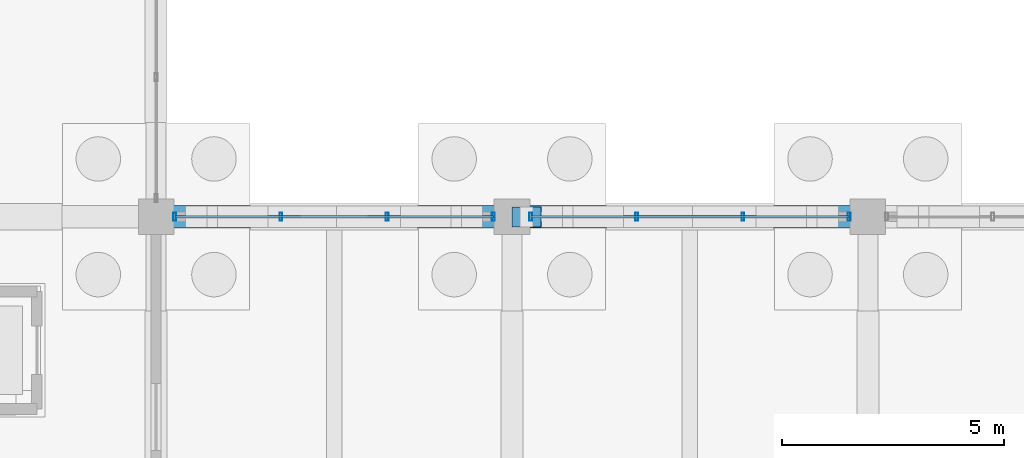
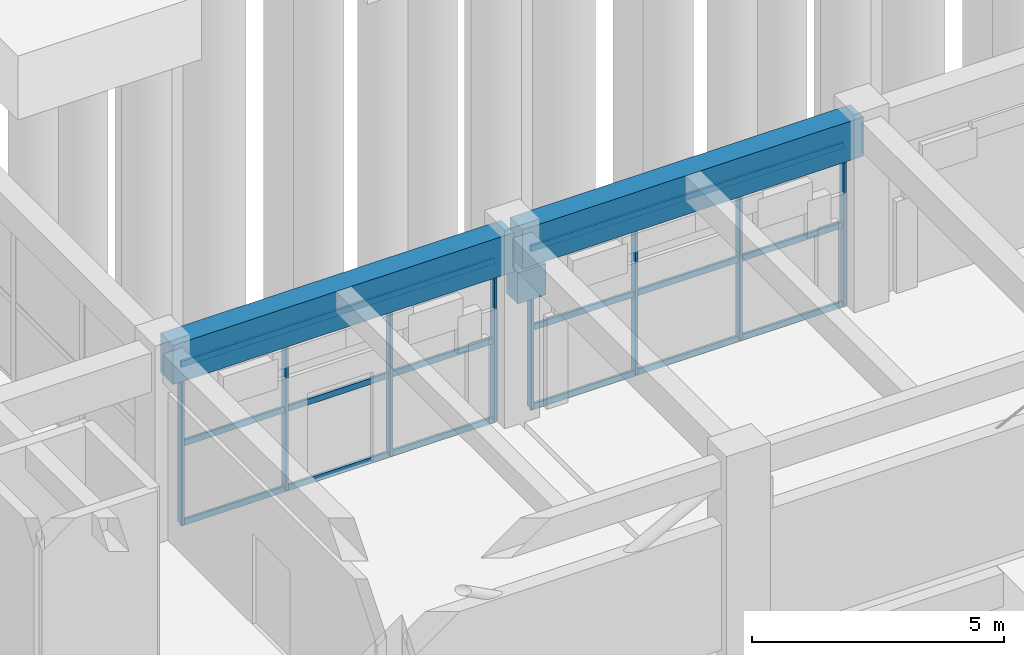
# One storey, part 70 of 147: 14 members, 3 beams, 2 elements without a shape of their own.
"""IFC4 building model written with IfcOpenShell, lengths in metres."""

from ifc_helpers import new_model, si_unit, direction, frame, origin, origin_2d, place, context, subcontext, project, spatial, rectangle, hollow_rectangle, extrude, material, material_profile, profile_set, type_object, element, aggregate, save


model = new_model("IFC4")

# Units and contexts
model_context = context("Model", 3, precision=1e-05, world=origin(), true_north=direction((0.0, 1.0)))
body_context = subcontext(model_context, "Body", "Model", "MODEL_VIEW")
ifc_project = project(units=[si_unit("LENGTHUNIT", "METRE"), si_unit("AREAUNIT", "SQUARE_METRE"), si_unit("VOLUMEUNIT", "CUBIC_METRE"), si_unit("PLANEANGLEUNIT", "RADIAN"), si_unit("MASSUNIT", "GRAM", prefix="KILO")], contexts=[model_context])

# Site, building, storey
site_placement = place(None, origin())
site = spatial("IfcSite", under=ifc_project, at=site_placement, CompositionType="ELEMENT")
building_placement = place(site_placement, origin())
building = spatial("IfcBuilding", under=site, at=building_placement, Name="Varnabhumi Central Station", CompositionType="ELEMENT")
storey_placement = place(building_placement, origin())
storey = spatial("IfcBuildingStorey", under=building, at=storey_placement, Name="L00", CompositionType="ELEMENT", Elevation=0.0)

# Beams
ifc_material_1 = material(Name="Concrete M40", Category="concrete")
ifc_material_profile_1 = material_profile(ifc_material_1, rectangle(XDim=0.449951171875, YDim=0.75, at=origin_2d()), Name="Concrete M40", Category="concrete")
ifc_profile_set_1 = profile_set([ifc_material_profile_1], Name="Concrete M40")
beam_type_1 = type_object("IfcBeamType", Name="BM-RC-450x750", PredefinedType="BEAM", material=ifc_profile_set_1)
beam_placement = place(storey_placement, frame((120.0, 9.0, 3.14501953125), z_axis=(1.0, 0.0, 0.0), x_axis=(0.0, 1.0, 0.0)))
element("IfcBeam", 1, at=beam_placement, inside=storey, type_object=beam_type_1, Name="Movement Joint 650mm Corbel Seat L00-B-16", PredefinedType="BEAM", context=body_context, shape_type="SweptSolid", body=[
    extrude(rectangle(XDim=0.449951171875, YDim=0.75, at=origin_2d()), origin(), (0.0, 0.0, 1.0), 0.64990234375),
])
ifc_material_profile_2 = material_profile(ifc_material_1, rectangle(XDim=0.5, YDim=0.949951171875, at=origin_2d()), Name="Concrete M40", Category="concrete")
ifc_profile_set_2 = profile_set([ifc_material_profile_2], Name="Concrete M40")
beam_type_2 = type_object("IfcBeamType", Name="BM-RC-500x950", PredefinedType="BEAM", material=ifc_profile_set_2)
for number, where, z_axis, x_axis, name in (
    (2, (112.10009765625, 9.0, 4.074951171875), (1.0, 0.0, 0.0), (0.0, 1.0, 0.0), "Beam L00-B:15-16"),
    (3, (120.10009765625, 9.0, 4.074951171875), (1.0, 0.0, 0.0), (0.0, 1.0, 0.0), "Beam L00-B:16-17"),
):
    element("IfcBeam", number, at=place(storey_placement, frame(where, z_axis=z_axis, x_axis=x_axis)), inside=storey, type_object=beam_type_2, Name=name, PredefinedType="BEAM", context=body_context, shape_type="SweptSolid", body=[
        extrude(rectangle(XDim=0.5, YDim=0.949951171875, at=origin_2d()), origin(), (0.0, 0.0, 1.0), 7.7998046875),
    ])

# Curtain wall, members
ifc_material_2 = material(Name="Anodised aluminium 6063-T6", Category="aluminium")
curtain_wall_type = type_object("IfcCurtainWallType", Name="CW-PATIO-LOGGIA-L0", PredefinedType="NOTDEFINED", material=ifc_material_2)
curtain_wall_1_placement = place(storey_placement, origin())
curtain_wall_1 = element("IfcCurtainWall", 4, at=curtain_wall_1_placement, inside=storey, type_object=curtain_wall_type, Name="Curtain Wall CW-SP0S1", PredefinedType="NOTDEFINED")
ifc_material_profile_3 = material_profile(ifc_material_2, hollow_rectangle(XDim=0.06494140625, YDim=0.179931640625, WallThickness=0.00390625, InnerFilletRadius=0.001953125, OuterFilletRadius=0.006103515625, at=origin_2d()), Name="Anodised aluminium 6063-T6", Category="aluminium")
ifc_profile_set_3 = profile_set([ifc_material_profile_3], Name="Anodised aluminium 6063-T6")
member_type_1 = type_object("IfcMemberType", Name="CW-MUL-180", PredefinedType="MULLION", material=ifc_profile_set_3)
member_1_placement = place(storey_placement, frame((112.419921875, 9.0, 0.0), z_axis=(0.0, 0.0, 1.0), x_axis=(1.0, 0.0, 0.0)))
member_1 = element("IfcMember", 5, at=member_1_placement, type_object=member_type_1, Name="Curtain Wall Mullion CW-SP0S1-M1", PredefinedType="MULLION", context=body_context, shape_type="SweptSolid", body=[
    extrude(hollow_rectangle(XDim=0.06494140625, YDim=0.179931640625, WallThickness=0.00390625, InnerFilletRadius=0.001953125, OuterFilletRadius=0.006103515625, at=origin_2d()), origin(), (0.0, 0.0, 1.0), 3.840087890625),
])
member_2_placement = place(storey_placement, frame((114.806640625, 9.0, 0.0), z_axis=(0.0, 0.0, 1.0), x_axis=(1.0, 0.0, 0.0)))
member_2 = element("IfcMember", 6, at=member_2_placement, type_object=member_type_1, Name="Curtain Wall Mullion CW-SP0S1-M2", PredefinedType="MULLION", context=body_context, shape_type="SweptSolid", body=[
    extrude(hollow_rectangle(XDim=0.06494140625, YDim=0.179931640625, WallThickness=0.00390625, InnerFilletRadius=0.001953125, OuterFilletRadius=0.006103515625, at=origin_2d()), origin(), (0.0, 0.0, 1.0), 3.840087890625),
])
member_3_placement = place(storey_placement, frame((117.193359375, 9.0, 0.0), z_axis=(0.0, 0.0, 1.0), x_axis=(1.0, 0.0, 0.0)))
member_3 = element("IfcMember", 7, at=member_3_placement, type_object=member_type_1, Name="Curtain Wall Mullion CW-SP0S1-M3", PredefinedType="MULLION", context=body_context, shape_type="SweptSolid", body=[
    extrude(hollow_rectangle(XDim=0.06494140625, YDim=0.179931640625, WallThickness=0.00390625, InnerFilletRadius=0.001953125, OuterFilletRadius=0.006103515625, at=origin_2d()), origin(), (0.0, 0.0, 1.0), 3.840087890625),
])
member_4_placement = place(storey_placement, frame((119.580078125, 9.0, 0.0), z_axis=(0.0, 0.0, 1.0), x_axis=(1.0, 0.0, 0.0)))
member_4 = element("IfcMember", 8, at=member_4_placement, type_object=member_type_1, Name="Curtain Wall Mullion CW-SP0S1-M4", PredefinedType="MULLION", context=body_context, shape_type="SweptSolid", body=[
    extrude(hollow_rectangle(XDim=0.06494140625, YDim=0.179931640625, WallThickness=0.00390625, InnerFilletRadius=0.001953125, OuterFilletRadius=0.006103515625, at=origin_2d()), origin(), (0.0, 0.0, 1.0), 3.840087890625),
])

curtain_wall_2_placement = place(storey_placement, origin())
curtain_wall_2 = element("IfcCurtainWall", 9, at=curtain_wall_2_placement, inside=storey, type_object=curtain_wall_type, Name="Curtain Wall CW-SP0S2", PredefinedType="NOTDEFINED")
member_5_placement = place(storey_placement, frame((120.419921875, 9.0, 0.0), z_axis=(0.0, 0.0, 1.0), x_axis=(1.0, 0.0, 0.0)))
member_5 = element("IfcMember", 10, at=member_5_placement, type_object=member_type_1, Name="Curtain Wall Mullion CW-SP0S2-M1", PredefinedType="MULLION", context=body_context, shape_type="SweptSolid", body=[
    extrude(hollow_rectangle(XDim=0.06494140625, YDim=0.179931640625, WallThickness=0.00390625, InnerFilletRadius=0.001953125, OuterFilletRadius=0.006103515625, at=origin_2d()), origin(), (0.0, 0.0, 1.0), 3.840087890625),
])
member_6_placement = place(storey_placement, frame((122.806640625, 9.0, 0.0), z_axis=(0.0, 0.0, 1.0), x_axis=(1.0, 0.0, 0.0)))
member_6 = element("IfcMember", 11, at=member_6_placement, type_object=member_type_1, Name="Curtain Wall Mullion CW-SP0S2-M2", PredefinedType="MULLION", context=body_context, shape_type="SweptSolid", body=[
    extrude(hollow_rectangle(XDim=0.06494140625, YDim=0.179931640625, WallThickness=0.00390625, InnerFilletRadius=0.001953125, OuterFilletRadius=0.006103515625, at=origin_2d()), origin(), (0.0, 0.0, 1.0), 3.840087890625),
])
member_7_placement = place(storey_placement, frame((125.193359375, 9.0, 0.0), z_axis=(0.0, 0.0, 1.0), x_axis=(1.0, 0.0, 0.0)))
member_7 = element("IfcMember", 12, at=member_7_placement, type_object=member_type_1, Name="Curtain Wall Mullion CW-SP0S2-M3", PredefinedType="MULLION", context=body_context, shape_type="SweptSolid", body=[
    extrude(hollow_rectangle(XDim=0.06494140625, YDim=0.179931640625, WallThickness=0.00390625, InnerFilletRadius=0.001953125, OuterFilletRadius=0.006103515625, at=origin_2d()), origin(), (0.0, 0.0, 1.0), 3.840087890625),
])
member_8_placement = place(storey_placement, frame((127.580078125, 9.0, 0.0), z_axis=(0.0, 0.0, 1.0), x_axis=(1.0, 0.0, 0.0)))
member_8 = element("IfcMember", 13, at=member_8_placement, type_object=member_type_1, Name="Curtain Wall Mullion CW-SP0S2-M4", PredefinedType="MULLION", context=body_context, shape_type="SweptSolid", body=[
    extrude(hollow_rectangle(XDim=0.06494140625, YDim=0.179931640625, WallThickness=0.00390625, InnerFilletRadius=0.001953125, OuterFilletRadius=0.006103515625, at=origin_2d()), origin(), (0.0, 0.0, 1.0), 3.840087890625),
])

# Member
ifc_material_profile_4 = material_profile(ifc_material_2, hollow_rectangle(XDim=0.06005859375, YDim=0.14990234375, WallThickness=0.00390625, InnerFilletRadius=0.001953125, OuterFilletRadius=0.006103515625, at=origin_2d()), Name="Anodised aluminium 6063-T6", Category="aluminium")
ifc_profile_set_4 = profile_set([ifc_material_profile_4], Name="Anodised aluminium 6063-T6")
member_type_2 = type_object("IfcMemberType", Name="CW-TR-150", PredefinedType="USERDEFINED", material=ifc_profile_set_4)
member_9_placement = place(storey_placement, frame((112.419921875, 9.0, 0.0), z_axis=(1.0, 0.0, 0.0), x_axis=(0.0, 1.0, 0.0)))
member_9 = element("IfcMember", 14, at=member_9_placement, type_object=member_type_2, Name="Curtain Wall Transom CW-SP0S1-T1", ObjectType="TRANSOM", PredefinedType="USERDEFINED", context=body_context, shape_type="SweptSolid", body=[
    extrude(hollow_rectangle(XDim=0.06005859375, YDim=0.14990234375, WallThickness=0.00390625, InnerFilletRadius=0.001953125, OuterFilletRadius=0.006103515625, at=origin_2d()), origin(), (0.0, 0.0, 1.0), 7.16015625),
])

member_10_placement = place(storey_placement, frame((112.419921875, 9.0, 1.919921875), z_axis=(1.0, 0.0, 0.0), x_axis=(0.0, 1.0, 0.0)))
member_10 = element("IfcMember", 15, at=member_10_placement, type_object=member_type_2, Name="Curtain Wall Transom CW-SP0S1-T2", ObjectType="TRANSOM", PredefinedType="USERDEFINED", context=body_context, shape_type="SweptSolid", body=[
    extrude(hollow_rectangle(XDim=0.06005859375, YDim=0.14990234375, WallThickness=0.00390625, InnerFilletRadius=0.001953125, OuterFilletRadius=0.006103515625, at=origin_2d()), origin(), (0.0, 0.0, 1.0), 7.16015625),
])

member_11_placement = place(storey_placement, frame((112.419921875, 9.0, 3.840087890625), z_axis=(1.0, 0.0, 0.0), x_axis=(0.0, 1.0, 0.0)))
member_11 = element("IfcMember", 16, at=member_11_placement, type_object=member_type_2, Name="Curtain Wall Transom CW-SP0S1-T3", ObjectType="TRANSOM", PredefinedType="USERDEFINED", context=body_context, shape_type="SweptSolid", body=[
    extrude(hollow_rectangle(XDim=0.06005859375, YDim=0.14990234375, WallThickness=0.00390625, InnerFilletRadius=0.001953125, OuterFilletRadius=0.006103515625, at=origin_2d()), origin(), (0.0, 0.0, 1.0), 7.16015625),
])

aggregate(curtain_wall_1, [member_1, member_2, member_3, member_4, member_9, member_10, member_11])

member_12_placement = place(storey_placement, frame((120.419921875, 9.0, 0.0), z_axis=(1.0, 0.0, 0.0), x_axis=(0.0, 1.0, 0.0)))
member_12 = element("IfcMember", 17, at=member_12_placement, type_object=member_type_2, Name="Curtain Wall Transom CW-SP0S2-T1", ObjectType="TRANSOM", PredefinedType="USERDEFINED", context=body_context, shape_type="SweptSolid", body=[
    extrude(hollow_rectangle(XDim=0.06005859375, YDim=0.14990234375, WallThickness=0.00390625, InnerFilletRadius=0.001953125, OuterFilletRadius=0.006103515625, at=origin_2d()), origin(), (0.0, 0.0, 1.0), 7.16015625),
])

member_13_placement = place(storey_placement, frame((120.419921875, 9.0, 1.919921875), z_axis=(1.0, 0.0, 0.0), x_axis=(0.0, 1.0, 0.0)))
member_13 = element("IfcMember", 18, at=member_13_placement, type_object=member_type_2, Name="Curtain Wall Transom CW-SP0S2-T2", ObjectType="TRANSOM", PredefinedType="USERDEFINED", context=body_context, shape_type="SweptSolid", body=[
    extrude(hollow_rectangle(XDim=0.06005859375, YDim=0.14990234375, WallThickness=0.00390625, InnerFilletRadius=0.001953125, OuterFilletRadius=0.006103515625, at=origin_2d()), origin(), (0.0, 0.0, 1.0), 7.16015625),
])

member_14_placement = place(storey_placement, frame((120.419921875, 9.0, 3.840087890625), z_axis=(1.0, 0.0, 0.0), x_axis=(0.0, 1.0, 0.0)))
member_14 = element("IfcMember", 19, at=member_14_placement, type_object=member_type_2, Name="Curtain Wall Transom CW-SP0S2-T3", ObjectType="TRANSOM", PredefinedType="USERDEFINED", context=body_context, shape_type="SweptSolid", body=[
    extrude(hollow_rectangle(XDim=0.06005859375, YDim=0.14990234375, WallThickness=0.00390625, InnerFilletRadius=0.001953125, OuterFilletRadius=0.006103515625, at=origin_2d()), origin(), (0.0, 0.0, 1.0), 7.16015625),
])

aggregate(curtain_wall_2, [member_5, member_6, member_7, member_8, member_12, member_13, member_14])

save(model, "model.ifc")
